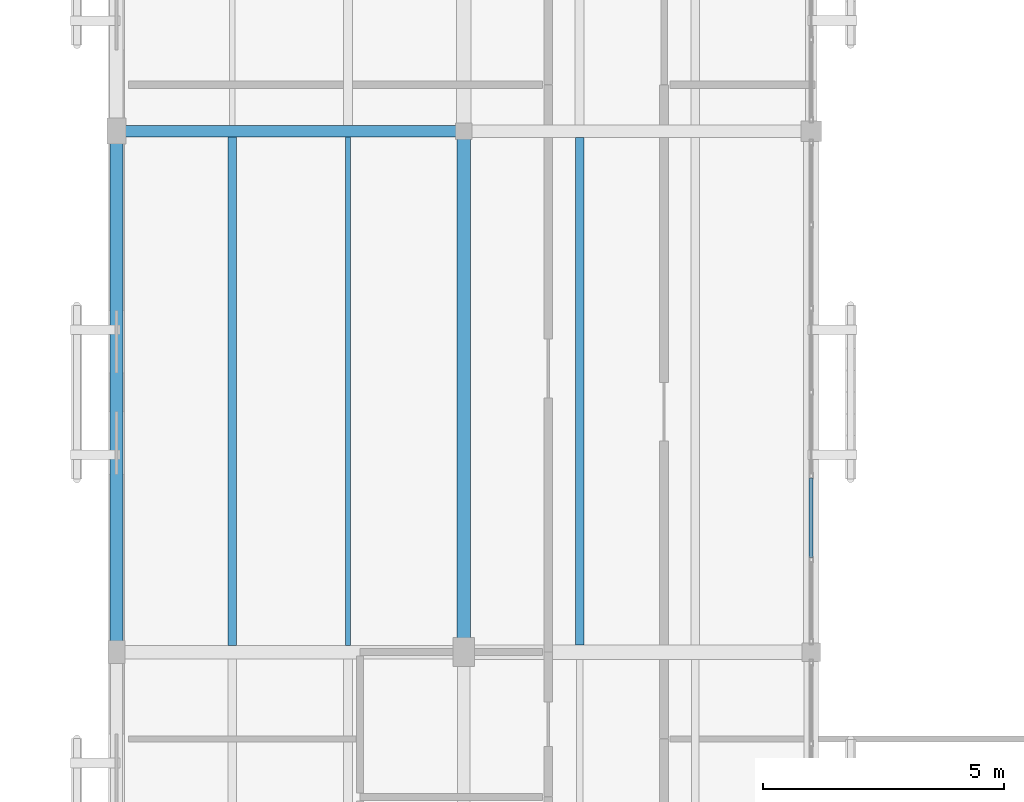
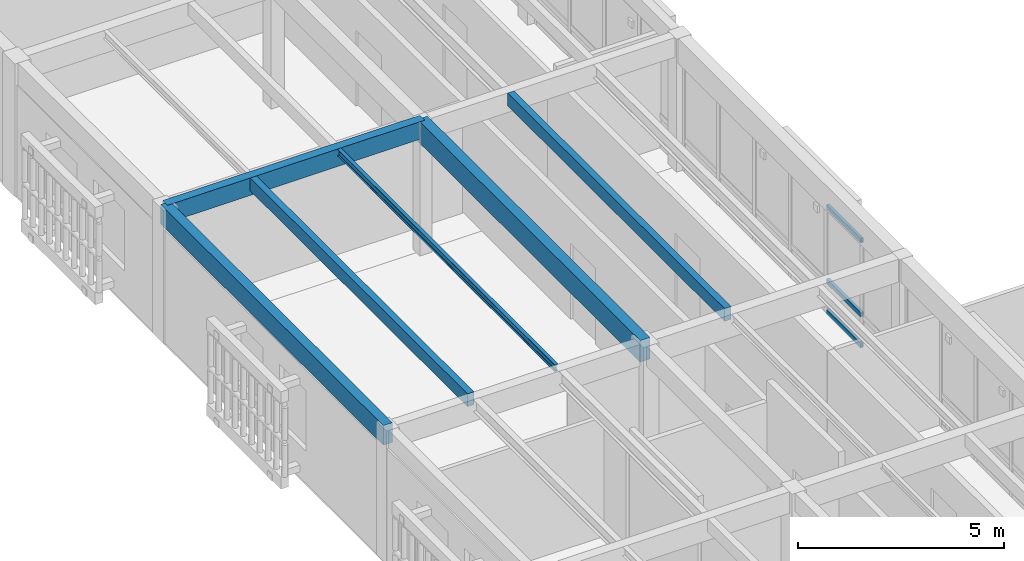
# One storey, part 18 of 61: 6 beams, 3 members, 1 element without a shape of its own.
"""IFC4 building model written with IfcOpenShell, lengths in metres."""

from ifc_helpers import new_model, si_unit, direction, frame, origin, origin_2d, place, context, subcontext, project, spatial, rectangle, hollow_rectangle, i_section, extrude, material, layer, layer_set, material_profile, profile_set, type_object, element, aggregate, save


model = new_model("IFC4")

# Units and contexts
model_context = context("Model", 3, precision=1e-05, world=origin(), true_north=direction((0.0, 1.0)))
body_context = subcontext(model_context, "Body", "Model", "MODEL_VIEW")
ifc_project = project(units=[si_unit("LENGTHUNIT", "METRE"), si_unit("AREAUNIT", "SQUARE_METRE"), si_unit("VOLUMEUNIT", "CUBIC_METRE"), si_unit("PLANEANGLEUNIT", "RADIAN"), si_unit("MASSUNIT", "GRAM", prefix="KILO")], contexts=[model_context])

# Site, building, storey
site_placement = place(None, origin())
site = spatial("IfcSite", under=ifc_project, at=site_placement, CompositionType="ELEMENT")
building_placement = place(site_placement, origin())
building = spatial("IfcBuilding", under=site, at=building_placement, Name="Mazaris Harbour Polytechnic", CompositionType="ELEMENT")
storey_placement = place(building_placement, frame((0.0, 0.0, 18.0)))
storey = spatial("IfcBuildingStorey", under=building, at=storey_placement, Name="L04", CompositionType="ELEMENT", Elevation=18.0)

# Curtain wall, members
ifc_material_1 = material(Name="Anodised Bronze Aluminium and Low-E Glass", Category="aluminium")
ifc_layer = layer(ifc_material_1, 0.159912109375, Name="Anodised Bronze Aluminium and Low-E Glass")
ifc_layer_set = layer_set([ifc_layer], Name="Anodised Bronze Aluminium and Low-E Glass")
curtain_wall_type = type_object("IfcCurtainWallType", Name="Cloister Court Curtain Wall", PredefinedType="NOTDEFINED", material=ifc_layer_set)
curtain_wall_placement = place(storey_placement, origin())
curtain_wall = element("IfcCurtainWall", 1, at=curtain_wall_placement, inside=storey, type_object=curtain_wall_type, Name="V4 L04 Curtain Wall 172", PredefinedType="NOTDEFINED")
ifc_material_2 = material(Name="Anodised Bronze Steel S355", Category="steel")
ifc_material_profile_1 = material_profile(ifc_material_2, hollow_rectangle(XDim=0.080078125, YDim=0.139892578125, WallThickness=0.00634765625, at=origin_2d()), Name="RHS 80x140x6.3")
ifc_profile_set_1 = profile_set([ifc_material_profile_1], Name="Anodised Bronze Steel S355")
member_type = type_object("IfcMemberType", Name="Curtain Transom RHS80x140", PredefinedType="USERDEFINED", material=ifc_profile_set_1)
member_1_placement = place(storey_placement, frame((14.39990234375, 45.157958984375, 0.0400390625), z_axis=(0.0, 1.0, 0.0), x_axis=(-1.0, 0.0, 0.0)))
member_1 = element("IfcMember", 2, at=member_1_placement, type_object=member_type, Name="CW-02 transom 2.1", ObjectType="TRANSOM", PredefinedType="USERDEFINED", context=body_context, shape_type="SweptSolid", body=[
    extrude(hollow_rectangle(XDim=0.080078125, YDim=0.139892578125, WallThickness=0.00634765625, at=origin_2d()), origin(), (0.0, 0.0, 1.0), 1.656005859375),
])
member_2_placement = place(storey_placement, frame((14.39990234375, 45.157958984375, 0.949951171875), z_axis=(0.0, 1.0, 0.0), x_axis=(-1.0, 0.0, 0.0)))
member_2 = element("IfcMember", 3, at=member_2_placement, type_object=member_type, Name="CW-02 transom 2.2", ObjectType="TRANSOM", PredefinedType="USERDEFINED", context=body_context, shape_type="SweptSolid", body=[
    extrude(hollow_rectangle(XDim=0.080078125, YDim=0.139892578125, WallThickness=0.00634765625, at=origin_2d()), origin(), (0.0, 0.0, 1.0), 1.656005859375),
])
member_3_placement = place(storey_placement, frame((14.39990234375, 45.157958984375, 3.14501953125), z_axis=(0.0, 1.0, 0.0), x_axis=(-1.0, 0.0, 0.0)))
member_3 = element("IfcMember", 4, at=member_3_placement, type_object=member_type, Name="CW-02 transom 2.3", ObjectType="TRANSOM", PredefinedType="USERDEFINED", context=body_context, shape_type="SweptSolid", body=[
    extrude(hollow_rectangle(XDim=0.080078125, YDim=0.139892578125, WallThickness=0.00634765625, at=origin_2d()), origin(), (0.0, 0.0, 1.0), 1.656005859375),
])
aggregate(curtain_wall, [member_1, member_2, member_3])

# Beams
ifc_material_3 = material(Name="Glulam GL32h", Category="wood")
ifc_material_profile_2 = material_profile(ifc_material_3, rectangle(XDim=0.239990234375, YDim=0.52001953125, at=origin_2d()), Name="RECT240x520")
ifc_profile_set_2 = profile_set([ifc_material_profile_2], Name="Glulam GL32h")
beam_type_1 = type_object("IfcBeamType", Name="Glulam Girder 240x520", PredefinedType="BEAM", material=ifc_profile_set_2)
beam_1_placement = place(storey_placement, frame((0.0, 54.0, 3.675048828125), z_axis=(1.0, 0.0, 0.0), x_axis=(0.0, 1.0, 0.0)))
element("IfcBeam", 5, at=beam_1_placement, inside=storey, type_object=beam_type_1, Name="V4 L04 Girder 2390", PredefinedType="BEAM", context=body_context, shape_type="SweptSolid", body=[
    extrude(rectangle(XDim=0.239990234375, YDim=0.52001953125, at=origin_2d()), origin(), (0.0, 0.0, 1.0), 7.199951171875),
])
ifc_material_4 = material(Name="Glulam GL32h", Category="wood")
ifc_material_profile_3 = material_profile(ifc_material_4, rectangle(XDim=0.260009765625, YDim=0.580078125, at=origin_2d()), Name="RECT260x580")
ifc_profile_set_3 = profile_set([ifc_material_profile_3], Name="Glulam GL32h")
beam_type_2 = type_object("IfcBeamType", Name="Glulam Girder 260x580 Exterior", PredefinedType="BEAM", material=ifc_profile_set_3)
beam_2_placement = place(storey_placement, frame((0.0, 43.199951171875, 3.64501953125), z_axis=(0.0, 1.0, 0.0), x_axis=(-1.0, 0.0, 0.0)))
element("IfcBeam", 6, at=beam_2_placement, inside=storey, type_object=beam_type_2, Name="V4 L04 Tie Girder 2401", PredefinedType="BEAM", context=body_context, shape_type="SweptSolid", body=[
    extrude(rectangle(XDim=0.260009765625, YDim=0.580078125, at=origin_2d()), origin(), (0.0, 0.0, 1.0), 10.800048828125),
])
ifc_material_5 = material(Name="Glulam GL32h", Category="wood")
ifc_material_profile_4 = material_profile(ifc_material_5, rectangle(XDim=0.280029296875, YDim=0.639892578125, at=origin_2d()), Name="RECT280x640")
ifc_profile_set_4 = profile_set([ifc_material_profile_4], Name="Glulam GL32h")
beam_type_3 = type_object("IfcBeamType", Name="Glulam Girder 280x640", PredefinedType="BEAM", material=ifc_profile_set_4)
beam_3_placement = place(storey_placement, frame((7.199951171875, 43.199951171875, 3.614990234375), z_axis=(0.0, 1.0, 0.0), x_axis=(-1.0, 0.0, 0.0)))
element("IfcBeam", 7, at=beam_3_placement, inside=storey, type_object=beam_type_3, Name="V4 L04 Tie Girder 2407", PredefinedType="BEAM", context=body_context, shape_type="SweptSolid", body=[
    extrude(rectangle(XDim=0.280029296875, YDim=0.639892578125, at=origin_2d()), origin(), (0.0, 0.0, 1.0), 10.800048828125),
])
ifc_material_6 = material(Name="Glulam GL28h", Category="wood")
ifc_material_profile_5 = material_profile(ifc_material_6, rectangle(XDim=0.179931640625, YDim=0.3798828125, at=origin_2d()), Name="RECT180x380")
ifc_profile_set_5 = profile_set([ifc_material_profile_5], Name="Glulam GL28h")
beam_type_4 = type_object("IfcBeamType", Name="Glulam Joist 180x380", PredefinedType="JOIST", material=ifc_profile_set_5)
beam_4_placement = place(storey_placement, frame((2.39990234375, 43.340087890625, 3.7451171875), z_axis=(0.0, 1.0, 0.0), x_axis=(-1.0, 0.0, 0.0)))
element("IfcBeam", 8, at=beam_4_placement, inside=storey, type_object=beam_type_4, Name="V4 L04 Floor Joist 2442", PredefinedType="JOIST", context=body_context, shape_type="SweptSolid", body=[
    extrude(rectangle(XDim=0.179931640625, YDim=0.3798828125, at=origin_2d()), origin(), (0.0, 0.0, 1.0), 10.539794921875),
])
beam_5_placement = place(storey_placement, frame((9.60009765625, 43.35009765625, 3.7451171875), z_axis=(0.0, 1.0, 0.0), x_axis=(-1.0, 0.0, 0.0)))
element("IfcBeam", 9, at=beam_5_placement, inside=storey, type_object=beam_type_4, Name="V4 L04 Floor Joist 2454", PredefinedType="JOIST", context=body_context, shape_type="SweptSolid", body=[
    extrude(rectangle(XDim=0.179931640625, YDim=0.3798828125, at=origin_2d()), origin(), (0.0, 0.0, 1.0), 10.52001953125),
])
ifc_material_7 = material(Name="Steel S355", Category="steel")
ifc_material_profile_6 = material_profile(ifc_material_7, i_section(OverallWidth=0.10009765625, OverallDepth=0.199951171875, WebThickness=0.005615234375, FlangeThickness=0.008544921875, FilletRadius=0.011962890625, at=origin_2d()), Name="IPE 200")
ifc_profile_set_6 = profile_set([ifc_material_profile_6], Name="Steel S355")
beam_type_5 = type_object("IfcBeamType", Name="Steel Joist IPE200", PredefinedType="JOIST", material=ifc_profile_set_6)
beam_6_placement = place(storey_placement, frame((4.800048828125, 43.340087890625, 3.8349609375), z_axis=(0.0, 1.0, 0.0), x_axis=(-1.0, 0.0, 0.0)))
element("IfcBeam", 10, at=beam_6_placement, inside=storey, type_object=beam_type_5, Name="V4 L04 Floor Joist 2443", PredefinedType="JOIST", context=body_context, shape_type="SweptSolid", body=[
    extrude(i_section(OverallWidth=0.10009765625, OverallDepth=0.199951171875, WebThickness=0.005615234375, FlangeThickness=0.008544921875, FilletRadius=0.011962890625, at=origin_2d()), origin(), (0.0, 0.0, 1.0), 10.539794921875),
])

save(model, "model.ifc")
